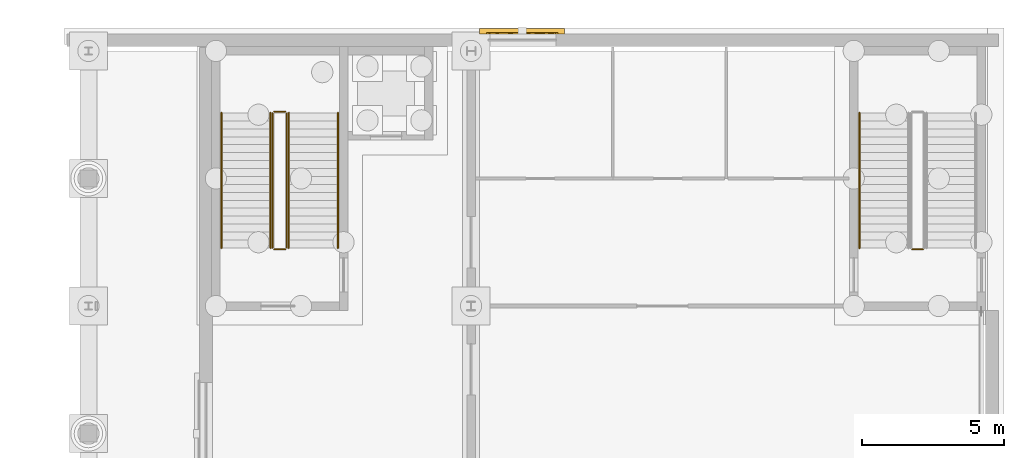
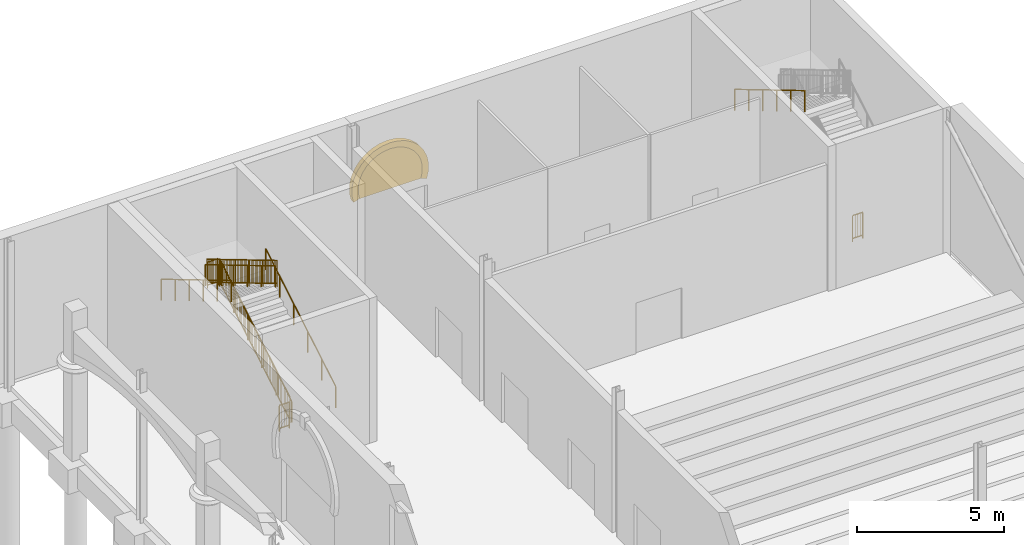
# One storey, part 100 of 106: 10 railings, 2 coverings.
"""IFC4 building model written with IfcOpenShell, lengths in metres."""

from ifc_helpers import new_model, si_unit, direction, frame, origin, origin_2d, place, context, subcontext, project, spatial, polyline, circle, outline, extrude, material, layer, layer_set, type_object, element, save


model = new_model("IFC4")

# Units and contexts
model_context = context("Model", 3, precision=1e-05, world=origin(), true_north=direction((0.0, 1.0)))
body_context = subcontext(model_context, "Body", "Model", "MODEL_VIEW")
ifc_project = project(units=[si_unit("LENGTHUNIT", "METRE"), si_unit("AREAUNIT", "SQUARE_METRE"), si_unit("VOLUMEUNIT", "CUBIC_METRE"), si_unit("PLANEANGLEUNIT", "RADIAN"), si_unit("MASSUNIT", "GRAM", prefix="KILO")], contexts=[model_context])

# Site, building, storey
site_placement = place(None, origin())
site = spatial("IfcSite", under=ifc_project, at=site_placement, CompositionType="ELEMENT")
building_placement = place(site_placement, origin())
building = spatial("IfcBuilding", under=site, at=building_placement, Name="Hortulan Conservatory and Botanical Research Centre", CompositionType="ELEMENT")
storey_placement = place(building_placement, origin())
storey = spatial("IfcBuildingStorey", under=building, at=storey_placement, Name="L00", CompositionType="ELEMENT", Elevation=0.0)

# Covering
ifc_material_1 = material(Name="Sandstone masonry (Hawkesbury yellow block)", Category="masonry")
ifc_layer_1 = layer(ifc_material_1, 0.179931640625)
ifc_layer_set_1 = layer_set([ifc_layer_1], Name="Sandstone Horseshoe Band 250")
covering_type_1 = type_object("IfcCoveringType", Name="Sandstone Horseshoe Band 250", PredefinedType="CLADDING", material=ifc_layer_set_1)
covering_1_placement = place(storey_placement, frame((90.2880859375, 72.694580078125, 2.32275390625), z_axis=(0.0, 0.0, 1.0), x_axis=(1.0, 0.0, 0.0)))
element("IfcCovering", 1, at=covering_1_placement, inside=storey, type_object=covering_type_1, Name="Horseshoe entrance head", PredefinedType="CLADDING", context=body_context, shape_type="SweptSolid", body=[
    extrude(outline(polyline([(0.311767578125, 0.0771484375), (0.2568359375, 0.335205078125), (0.2568359375, 0.59912109375), (0.311767578125, 0.85693359375), (0.4189453125, 1.09814453125), (0.57421875, 1.3115234375), (0.77001953125, 1.488037109375), (0.99853515625, 1.619873046875), (1.24951171875, 1.701416015625), (1.51171875, 1.72900390625), (1.774169921875, 1.701416015625), (2.02490234375, 1.619873046875), (2.25341796875, 1.488037109375), (2.449462890625, 1.3115234375), (2.6044921875, 1.09814453125), (2.7119140625, 0.85693359375), (2.7666015625, 0.59912109375), (2.7666015625, 0.335205078125), (2.7119140625, 0.0771484375), (2.949462890625, 0.0), (3.01513671875, 0.30908203125), (3.01513671875, 0.625244140625), (2.949462890625, 0.934326171875), (2.821044921875, 1.22314453125), (2.63525390625, 1.478759765625), (2.400390625, 1.690185546875), (2.126708984375, 1.84814453125), (1.826171875, 1.94580078125), (1.51171875, 1.97900390625), (1.197509765625, 1.94580078125), (0.89697265625, 1.84814453125), (0.623291015625, 1.690185546875), (0.38818359375, 1.478759765625), (0.202392578125, 1.22314453125), (0.073974609375, 0.934326171875), (0.00830078125, 0.625244140625), (0.00830078125, 0.30908203125), (0.073974609375, 0.0), (0.311767578125, 0.0771484375)])), frame((0.0, 0.08984375, 0.0), z_axis=(0.0, -1.0, 0.0), x_axis=(1.0, 0.0, 0.0)), (0.0, 0.0, 1.0), 0.179931640625),
])

# Railings
ifc_material_2 = material(Name="Steel balustrade, bronze-charcoal paint", Category="steel")
railing_type_1 = type_object("IfcRailingType", Name="Stair Guard 1100", PredefinedType="GUARDRAIL", material=ifc_material_2)
railing_1_placement = place(storey_placement, frame((83.5, 65.050048828125, 0.166748046875)))
element("IfcRailing", 2, at=railing_1_placement, inside=storey, type_object=railing_type_1, Name="Guard A1 L00 stair 1", PredefinedType="GUARDRAIL", context=body_context, shape_type="SweptSolid", body=[
    extrude(circle(Radius=0.02392578125, at=origin_2d()), frame((0.0, 0.0, 1.076171875), z_axis=(0.0, 0.859299802514, 0.511472237174), x_axis=(-1.0, 0.0, 0.0)), (0.0, 0.0, 1.0), 5.539306640625),
    extrude(circle(Radius=0.02392578125, at=origin_2d()), frame((0.0, 0.0, 0.1240234375), z_axis=(0.0, 0.859299802514, 0.511472237174), x_axis=(-1.0, 0.0, 0.0)), (0.0, 0.0, 1.0), 5.539306640625),
    extrude(circle(Radius=0.008056640625, at=origin_2d()), frame((0.0, 0.09326171875, 0.203857421875)), (0.0, 0.0, 1.0), 0.90380859375),
    extrude(circle(Radius=0.008056640625, at=origin_2d()), frame((0.0, 0.186767578125, 0.25927734375)), (0.0, 0.0, 1.0), 0.90380859375),
    extrude(circle(Radius=0.008056640625, at=origin_2d()), frame((0.0, 0.280029296875, 0.31494140625)), (0.0, 0.0, 1.0), 0.90380859375),
    extrude(circle(Radius=0.008056640625, at=origin_2d()), frame((0.0, 0.373291015625, 0.370361328125)), (0.0, 0.0, 1.0), 0.90380859375),
    extrude(circle(Radius=0.008056640625, at=origin_2d()), frame((0.0, 0.466552734375, 0.426025390625)), (0.0, 0.0, 1.0), 0.90380859375),
    extrude(circle(Radius=0.008056640625, at=origin_2d()), frame((0.0, 0.56005859375, 0.4814453125)), (0.0, 0.0, 1.0), 0.90380859375),
    extrude(circle(Radius=0.008056640625, at=origin_2d()), frame((0.0, 0.6533203125, 0.537109375)), (0.0, 0.0, 1.0), 0.90380859375),
    extrude(circle(Radius=0.008056640625, at=origin_2d()), frame((0.0, 0.74658203125, 0.592529296875)), (0.0, 0.0, 1.0), 0.90380859375),
    extrude(circle(Radius=0.008056640625, at=origin_2d()), frame((0.0, 0.840087890625, 0.648193359375)), (0.0, 0.0, 1.0), 0.90380859375),
    extrude(circle(Radius=0.008056640625, at=origin_2d()), frame((0.0, 0.933349609375, 0.70361328125)), (0.0, 0.0, 1.0), 0.90380859375),
    extrude(circle(Radius=0.008056640625, at=origin_2d()), frame((0.0, 1.026611328125, 0.75927734375)), (0.0, 0.0, 1.0), 0.90380859375),
    extrude(circle(Radius=0.008056640625, at=origin_2d()), frame((0.0, 1.1201171875, 0.81494140625)), (0.0, 0.0, 1.0), 0.90380859375),
    extrude(circle(Radius=0.008056640625, at=origin_2d()), frame((0.0, 1.21337890625, 0.870361328125)), (0.0, 0.0, 1.0), 0.90380859375),
    extrude(circle(Radius=0.008056640625, at=origin_2d()), frame((0.0, 1.306640625, 0.926025390625)), (0.0, 0.0, 1.0), 0.90380859375),
    extrude(circle(Radius=0.008056640625, at=origin_2d()), frame((0.0, 1.39990234375, 0.9814453125)), (0.0, 0.0, 1.0), 0.90380859375),
    extrude(circle(Radius=0.008056640625, at=origin_2d()), frame((0.0, 1.493408203125, 1.037109375)), (0.0, 0.0, 1.0), 0.90380859375),
    extrude(circle(Radius=0.008056640625, at=origin_2d()), frame((0.0, 1.586669921875, 1.092529296875)), (0.0, 0.0, 1.0), 0.90380859375),
    extrude(circle(Radius=0.008056640625, at=origin_2d()), frame((0.0, 1.679931640625, 1.148193359375)), (0.0, 0.0, 1.0), 0.90380859375),
    extrude(circle(Radius=0.008056640625, at=origin_2d()), frame((0.0, 1.7734375, 1.20361328125)), (0.0, 0.0, 1.0), 0.90380859375),
    extrude(circle(Radius=0.008056640625, at=origin_2d()), frame((0.0, 1.86669921875, 1.25927734375)), (0.0, 0.0, 1.0), 0.90380859375),
    extrude(circle(Radius=0.008056640625, at=origin_2d()), frame((0.0, 1.9599609375, 1.31494140625)), (0.0, 0.0, 1.0), 0.90380859375),
    extrude(circle(Radius=0.008056640625, at=origin_2d()), frame((0.0, 2.05322265625, 1.370361328125)), (0.0, 0.0, 1.0), 0.90380859375),
    extrude(circle(Radius=0.008056640625, at=origin_2d()), frame((0.0, 2.146728515625, 1.426025390625)), (0.0, 0.0, 1.0), 0.90380859375),
    extrude(circle(Radius=0.008056640625, at=origin_2d()), frame((0.0, 2.239990234375, 1.4814453125)), (0.0, 0.0, 1.0), 0.90380859375),
    extrude(circle(Radius=0.008056640625, at=origin_2d()), frame((0.0, 2.333251953125, 1.537109375)), (0.0, 0.0, 1.0), 0.90380859375),
    extrude(circle(Radius=0.008056640625, at=origin_2d()), frame((0.0, 2.4267578125, 1.592529296875)), (0.0, 0.0, 1.0), 0.90380859375),
    extrude(circle(Radius=0.008056640625, at=origin_2d()), frame((0.0, 2.52001953125, 1.648193359375)), (0.0, 0.0, 1.0), 0.90380859375),
    extrude(circle(Radius=0.008056640625, at=origin_2d()), frame((0.0, 2.61328125, 1.70361328125)), (0.0, 0.0, 1.0), 0.90380859375),
    extrude(circle(Radius=0.008056640625, at=origin_2d()), frame((0.0, 2.706787109375, 1.75927734375)), (0.0, 0.0, 1.0), 0.90380859375),
    extrude(circle(Radius=0.008056640625, at=origin_2d()), frame((0.0, 2.800048828125, 1.814697265625)), (0.0, 0.0, 1.0), 0.90380859375),
    extrude(circle(Radius=0.008056640625, at=origin_2d()), frame((0.0, 2.893310546875, 1.870361328125)), (0.0, 0.0, 1.0), 0.90380859375),
    extrude(circle(Radius=0.008056640625, at=origin_2d()), frame((0.0, 2.986572265625, 1.926025390625)), (0.0, 0.0, 1.0), 0.90380859375),
    extrude(circle(Radius=0.008056640625, at=origin_2d()), frame((0.0, 3.080078125, 1.9814453125)), (0.0, 0.0, 1.0), 0.90380859375),
    extrude(circle(Radius=0.008056640625, at=origin_2d()), frame((0.0, 3.17333984375, 2.037109375)), (0.0, 0.0, 1.0), 0.90380859375),
    extrude(circle(Radius=0.008056640625, at=origin_2d()), frame((0.0, 3.2666015625, 2.092529296875)), (0.0, 0.0, 1.0), 0.90380859375),
    extrude(circle(Radius=0.008056640625, at=origin_2d()), frame((0.0, 3.360107421875, 2.148193359375)), (0.0, 0.0, 1.0), 0.90380859375),
    extrude(circle(Radius=0.008056640625, at=origin_2d()), frame((0.0, 3.453369140625, 2.20361328125)), (0.0, 0.0, 1.0), 0.90380859375),
    extrude(circle(Radius=0.008056640625, at=origin_2d()), frame((0.0, 3.546630859375, 2.25927734375)), (0.0, 0.0, 1.0), 0.90380859375),
    extrude(circle(Radius=0.008056640625, at=origin_2d()), frame((0.0, 3.639892578125, 2.314697265625)), (0.0, 0.0, 1.0), 0.90380859375),
    extrude(circle(Radius=0.008056640625, at=origin_2d()), frame((0.0, 3.7333984375, 2.370361328125)), (0.0, 0.0, 1.0), 0.90380859375),
    extrude(circle(Radius=0.008056640625, at=origin_2d()), frame((0.0, 3.82666015625, 2.426025390625)), (0.0, 0.0, 1.0), 0.90380859375),
    extrude(circle(Radius=0.008056640625, at=origin_2d()), frame((0.0, 3.919921875, 2.4814453125)), (0.0, 0.0, 1.0), 0.90380859375),
    extrude(circle(Radius=0.008056640625, at=origin_2d()), frame((0.0, 4.013427734375, 2.537109375)), (0.0, 0.0, 1.0), 0.90380859375),
    extrude(circle(Radius=0.008056640625, at=origin_2d()), frame((0.0, 4.106689453125, 2.592529296875)), (0.0, 0.0, 1.0), 0.90380859375),
    extrude(circle(Radius=0.008056640625, at=origin_2d()), frame((0.0, 4.199951171875, 2.648193359375)), (0.0, 0.0, 1.0), 0.90380859375),
    extrude(circle(Radius=0.008056640625, at=origin_2d()), frame((0.0, 4.29345703125, 2.70361328125)), (0.0, 0.0, 1.0), 0.90380859375),
    extrude(circle(Radius=0.008056640625, at=origin_2d()), frame((0.0, 4.38671875, 2.75927734375)), (0.0, 0.0, 1.0), 0.90380859375),
    extrude(circle(Radius=0.008056640625, at=origin_2d()), frame((0.0, 4.47998046875, 2.814697265625)), (0.0, 0.0, 1.0), 0.90380859375),
    extrude(circle(Radius=0.008056640625, at=origin_2d()), frame((0.0, 4.5732421875, 2.870361328125)), (0.0, 0.0, 1.0), 0.90380859375),
    extrude(circle(Radius=0.008056640625, at=origin_2d()), frame((0.0, 4.666748046875, 2.92578125)), (0.0, 0.0, 1.0), 0.90380859375),
    extrude(circle(Radius=0.02099609375, at=origin_2d()), origin(), (0.0, 0.0, 1.0), 1.052001953125),
    extrude(circle(Radius=0.02099609375, at=origin_2d()), frame((0.0, 0.951904296875, 0.566650390625)), (0.0, 0.0, 1.0), 1.052001953125),
    extrude(circle(Radius=0.02099609375, at=origin_2d()), frame((0.0, 1.904052734375, 1.13330078125)), (0.0, 0.0, 1.0), 1.052001953125),
    extrude(circle(Radius=0.02099609375, at=origin_2d()), frame((0.0, 2.85595703125, 1.699951171875)), (0.0, 0.0, 1.0), 1.052001953125),
    extrude(circle(Radius=0.02099609375, at=origin_2d()), frame((0.0, 3.80810546875, 2.2666015625)), (0.0, 0.0, 1.0), 1.052001953125),
    extrude(circle(Radius=0.02099609375, at=origin_2d()), frame((0.0, 4.760009765625, 2.833251953125)), (0.0, 0.0, 1.0), 1.052001953125),
])
railing_2_placement = place(storey_placement, frame((83.449951171875, 69.860107421875, 3.0)))
element("IfcRailing", 3, at=railing_2_placement, inside=storey, type_object=railing_type_1, Name="Guard A1 L00 stair 2", PredefinedType="GUARDRAIL", context=body_context, shape_type="SweptSolid", body=[
    extrude(circle(Radius=0.02392578125, at=origin_2d()), frame((0.0, 0.0, 1.076171875), z_axis=(-1.0, 0.0, 0.0), x_axis=(0.0, -1.0, 0.0)), (0.0, 0.0, 1.0), 0.39990234375),
    extrude(circle(Radius=0.02392578125, at=origin_2d()), frame((0.0, 0.0, 0.1240234375), z_axis=(-1.0, 0.0, 0.0), x_axis=(0.0, -1.0, 0.0)), (0.0, 0.0, 1.0), 0.39990234375),
    extrude(circle(Radius=0.008056640625, at=origin_2d()), frame((-0.10009765625, 0.0, 0.148193359375)), (0.0, 0.0, 1.0), 0.90380859375),
    extrude(circle(Radius=0.008056640625, at=origin_2d()), frame((-0.199951171875, 0.0, 0.148193359375)), (0.0, 0.0, 1.0), 0.90380859375),
    extrude(circle(Radius=0.008056640625, at=origin_2d()), frame((-0.2998046875, 0.0, 0.148193359375)), (0.0, 0.0, 1.0), 0.90380859375),
    extrude(circle(Radius=0.02099609375, at=origin_2d()), origin(), (0.0, 0.0, 1.0), 1.052001953125),
    extrude(circle(Radius=0.02099609375, at=origin_2d()), frame((-0.39990234375, 0.0, 0.0)), (0.0, 0.0, 1.0), 1.052001953125),
])
railing_3_placement = place(storey_placement, frame((83.0, 69.81005859375, 3.166748046875)))
element("IfcRailing", 4, at=railing_3_placement, inside=storey, type_object=railing_type_1, Name="Guard A1 L00 stair 3", PredefinedType="GUARDRAIL", context=body_context, shape_type="SweptSolid", body=[
    extrude(circle(Radius=0.02392578125, at=origin_2d()), frame((0.0, 0.0, 1.076171875), z_axis=(0.0, -0.859299802514, 0.511472237174), x_axis=(1.0, 0.0, 0.0)), (0.0, 0.0, 1.0), 5.539306640625),
    extrude(circle(Radius=0.02392578125, at=origin_2d()), frame((0.0, 0.0, 0.1240234375), z_axis=(0.0, -0.859299802514, 0.511472237174), x_axis=(1.0, 0.0, 0.0)), (0.0, 0.0, 1.0), 5.539306640625),
    extrude(circle(Radius=0.008056640625, at=origin_2d()), frame((0.0, -0.09326171875, 0.203857421875)), (0.0, 0.0, 1.0), 0.90380859375),
    extrude(circle(Radius=0.008056640625, at=origin_2d()), frame((0.0, -0.186767578125, 0.25927734375)), (0.0, 0.0, 1.0), 0.90380859375),
    extrude(circle(Radius=0.008056640625, at=origin_2d()), frame((0.0, -0.280029296875, 0.31494140625)), (0.0, 0.0, 1.0), 0.90380859375),
    extrude(circle(Radius=0.008056640625, at=origin_2d()), frame((0.0, -0.373291015625, 0.370361328125)), (0.0, 0.0, 1.0), 0.90380859375),
    extrude(circle(Radius=0.008056640625, at=origin_2d()), frame((0.0, -0.466552734375, 0.426025390625)), (0.0, 0.0, 1.0), 0.90380859375),
    extrude(circle(Radius=0.008056640625, at=origin_2d()), frame((0.0, -0.56005859375, 0.4814453125)), (0.0, 0.0, 1.0), 0.90380859375),
    extrude(circle(Radius=0.008056640625, at=origin_2d()), frame((0.0, -0.6533203125, 0.537109375)), (0.0, 0.0, 1.0), 0.90380859375),
    extrude(circle(Radius=0.008056640625, at=origin_2d()), frame((0.0, -0.74658203125, 0.592529296875)), (0.0, 0.0, 1.0), 0.90380859375),
    extrude(circle(Radius=0.008056640625, at=origin_2d()), frame((0.0, -0.840087890625, 0.648193359375)), (0.0, 0.0, 1.0), 0.90380859375),
    extrude(circle(Radius=0.008056640625, at=origin_2d()), frame((0.0, -0.933349609375, 0.70361328125)), (0.0, 0.0, 1.0), 0.90380859375),
    extrude(circle(Radius=0.008056640625, at=origin_2d()), frame((0.0, -1.026611328125, 0.75927734375)), (0.0, 0.0, 1.0), 0.90380859375),
    extrude(circle(Radius=0.008056640625, at=origin_2d()), frame((0.0, -1.1201171875, 0.81494140625)), (0.0, 0.0, 1.0), 0.90380859375),
    extrude(circle(Radius=0.008056640625, at=origin_2d()), frame((0.0, -1.21337890625, 0.870361328125)), (0.0, 0.0, 1.0), 0.90380859375),
    extrude(circle(Radius=0.008056640625, at=origin_2d()), frame((0.0, -1.306640625, 0.926025390625)), (0.0, 0.0, 1.0), 0.90380859375),
    extrude(circle(Radius=0.008056640625, at=origin_2d()), frame((0.0, -1.39990234375, 0.9814453125)), (0.0, 0.0, 1.0), 0.90380859375),
    extrude(circle(Radius=0.008056640625, at=origin_2d()), frame((0.0, -1.493408203125, 1.037109375)), (0.0, 0.0, 1.0), 0.90380859375),
    extrude(circle(Radius=0.008056640625, at=origin_2d()), frame((0.0, -1.586669921875, 1.092529296875)), (0.0, 0.0, 1.0), 0.90380859375),
    extrude(circle(Radius=0.008056640625, at=origin_2d()), frame((0.0, -1.679931640625, 1.148193359375)), (0.0, 0.0, 1.0), 0.90380859375),
    extrude(circle(Radius=0.008056640625, at=origin_2d()), frame((0.0, -1.7734375, 1.20361328125)), (0.0, 0.0, 1.0), 0.90380859375),
    extrude(circle(Radius=0.008056640625, at=origin_2d()), frame((0.0, -1.86669921875, 1.25927734375)), (0.0, 0.0, 1.0), 0.90380859375),
    extrude(circle(Radius=0.008056640625, at=origin_2d()), frame((0.0, -1.9599609375, 1.31494140625)), (0.0, 0.0, 1.0), 0.90380859375),
    extrude(circle(Radius=0.008056640625, at=origin_2d()), frame((0.0, -2.05322265625, 1.370361328125)), (0.0, 0.0, 1.0), 0.90380859375),
    extrude(circle(Radius=0.008056640625, at=origin_2d()), frame((0.0, -2.146728515625, 1.426025390625)), (0.0, 0.0, 1.0), 0.90380859375),
    extrude(circle(Radius=0.008056640625, at=origin_2d()), frame((0.0, -2.239990234375, 1.4814453125)), (0.0, 0.0, 1.0), 0.90380859375),
    extrude(circle(Radius=0.008056640625, at=origin_2d()), frame((0.0, -2.333251953125, 1.537109375)), (0.0, 0.0, 1.0), 0.90380859375),
    extrude(circle(Radius=0.008056640625, at=origin_2d()), frame((0.0, -2.4267578125, 1.592529296875)), (0.0, 0.0, 1.0), 0.90380859375),
    extrude(circle(Radius=0.008056640625, at=origin_2d()), frame((0.0, -2.52001953125, 1.648193359375)), (0.0, 0.0, 1.0), 0.90380859375),
    extrude(circle(Radius=0.008056640625, at=origin_2d()), frame((0.0, -2.61328125, 1.70361328125)), (0.0, 0.0, 1.0), 0.90380859375),
    extrude(circle(Radius=0.008056640625, at=origin_2d()), frame((0.0, -2.706787109375, 1.75927734375)), (0.0, 0.0, 1.0), 0.90380859375),
    extrude(circle(Radius=0.008056640625, at=origin_2d()), frame((0.0, -2.800048828125, 1.814697265625)), (0.0, 0.0, 1.0), 0.90380859375),
    extrude(circle(Radius=0.008056640625, at=origin_2d()), frame((0.0, -2.893310546875, 1.870361328125)), (0.0, 0.0, 1.0), 0.90380859375),
    extrude(circle(Radius=0.008056640625, at=origin_2d()), frame((0.0, -2.986572265625, 1.926025390625)), (0.0, 0.0, 1.0), 0.90380859375),
    extrude(circle(Radius=0.008056640625, at=origin_2d()), frame((0.0, -3.080078125, 1.9814453125)), (0.0, 0.0, 1.0), 0.90380859375),
    extrude(circle(Radius=0.008056640625, at=origin_2d()), frame((0.0, -3.17333984375, 2.037109375)), (0.0, 0.0, 1.0), 0.90380859375),
    extrude(circle(Radius=0.008056640625, at=origin_2d()), frame((0.0, -3.2666015625, 2.092529296875)), (0.0, 0.0, 1.0), 0.90380859375),
    extrude(circle(Radius=0.008056640625, at=origin_2d()), frame((0.0, -3.360107421875, 2.148193359375)), (0.0, 0.0, 1.0), 0.90380859375),
    extrude(circle(Radius=0.008056640625, at=origin_2d()), frame((0.0, -3.453369140625, 2.20361328125)), (0.0, 0.0, 1.0), 0.90380859375),
    extrude(circle(Radius=0.008056640625, at=origin_2d()), frame((0.0, -3.546630859375, 2.25927734375)), (0.0, 0.0, 1.0), 0.90380859375),
    extrude(circle(Radius=0.008056640625, at=origin_2d()), frame((0.0, -3.639892578125, 2.314697265625)), (0.0, 0.0, 1.0), 0.90380859375),
    extrude(circle(Radius=0.008056640625, at=origin_2d()), frame((0.0, -3.7333984375, 2.370361328125)), (0.0, 0.0, 1.0), 0.90380859375),
    extrude(circle(Radius=0.008056640625, at=origin_2d()), frame((0.0, -3.82666015625, 2.426025390625)), (0.0, 0.0, 1.0), 0.90380859375),
    extrude(circle(Radius=0.008056640625, at=origin_2d()), frame((0.0, -3.919921875, 2.4814453125)), (0.0, 0.0, 1.0), 0.90380859375),
    extrude(circle(Radius=0.008056640625, at=origin_2d()), frame((0.0, -4.013427734375, 2.537109375)), (0.0, 0.0, 1.0), 0.90380859375),
    extrude(circle(Radius=0.008056640625, at=origin_2d()), frame((0.0, -4.106689453125, 2.592529296875)), (0.0, 0.0, 1.0), 0.90380859375),
    extrude(circle(Radius=0.008056640625, at=origin_2d()), frame((0.0, -4.199951171875, 2.648193359375)), (0.0, 0.0, 1.0), 0.90380859375),
    extrude(circle(Radius=0.008056640625, at=origin_2d()), frame((0.0, -4.29345703125, 2.70361328125)), (0.0, 0.0, 1.0), 0.90380859375),
    extrude(circle(Radius=0.008056640625, at=origin_2d()), frame((0.0, -4.38671875, 2.75927734375)), (0.0, 0.0, 1.0), 0.90380859375),
    extrude(circle(Radius=0.008056640625, at=origin_2d()), frame((0.0, -4.47998046875, 2.814697265625)), (0.0, 0.0, 1.0), 0.90380859375),
    extrude(circle(Radius=0.008056640625, at=origin_2d()), frame((0.0, -4.5732421875, 2.870361328125)), (0.0, 0.0, 1.0), 0.90380859375),
    extrude(circle(Radius=0.008056640625, at=origin_2d()), frame((0.0, -4.666748046875, 2.92578125)), (0.0, 0.0, 1.0), 0.90380859375),
    extrude(circle(Radius=0.02099609375, at=origin_2d()), origin(), (0.0, 0.0, 1.0), 1.052001953125),
    extrude(circle(Radius=0.02099609375, at=origin_2d()), frame((0.0, -0.951904296875, 0.566650390625)), (0.0, 0.0, 1.0), 1.052001953125),
    extrude(circle(Radius=0.02099609375, at=origin_2d()), frame((0.0, -1.904052734375, 1.13330078125)), (0.0, 0.0, 1.0), 1.052001953125),
    extrude(circle(Radius=0.02099609375, at=origin_2d()), frame((0.0, -2.85595703125, 1.699951171875)), (0.0, 0.0, 1.0), 1.052001953125),
    extrude(circle(Radius=0.02099609375, at=origin_2d()), frame((0.0, -3.80810546875, 2.2666015625)), (0.0, 0.0, 1.0), 1.052001953125),
    extrude(circle(Radius=0.02099609375, at=origin_2d()), frame((0.0, -4.760009765625, 2.833251953125)), (0.0, 0.0, 1.0), 1.052001953125),
])
for number, where, name in (
    (5, (83.449951171875, 65.0, 0.0), "Guard A1 L00 stair 4"),
    (6, (105.949951171875, 65.0, 0.0), "Guard A3 L00 stair 4"),
):
    element("IfcRailing", number, at=place(storey_placement, frame(where)), inside=storey, type_object=railing_type_1, Name=name, PredefinedType="GUARDRAIL", context=body_context, shape_type="SweptSolid", body=[
        extrude(circle(Radius=0.02392578125, at=origin_2d()), frame((0.0, 0.0, 1.076171875), z_axis=(-1.0, 0.0, 0.0), x_axis=(0.0, -1.0, 0.0)), (0.0, 0.0, 1.0), 0.39990234375),
        extrude(circle(Radius=0.02392578125, at=origin_2d()), frame((0.0, 0.0, 0.1240234375), z_axis=(-1.0, 0.0, 0.0), x_axis=(0.0, -1.0, 0.0)), (0.0, 0.0, 1.0), 0.39990234375),
        extrude(circle(Radius=0.008056640625, at=origin_2d()), frame((-0.10009765625, 0.0, 0.148193359375)), (0.0, 0.0, 1.0), 0.90380859375),
        extrude(circle(Radius=0.008056640625, at=origin_2d()), frame((-0.199951171875, 0.0, 0.148193359375)), (0.0, 0.0, 1.0), 0.90380859375),
        extrude(circle(Radius=0.008056640625, at=origin_2d()), frame((-0.2998046875, 0.0, 0.148193359375)), (0.0, 0.0, 1.0), 0.90380859375),
        extrude(circle(Radius=0.02099609375, at=origin_2d()), origin(), (0.0, 0.0, 1.0), 1.052001953125),
        extrude(circle(Radius=0.02099609375, at=origin_2d()), frame((-0.39990234375, 0.0, 0.0)), (0.0, 0.0, 1.0), 1.052001953125),
    ])
ifc_material_3 = material(Name="Bronze handrail, polished", Category="metal")
railing_type_2 = type_object("IfcRailingType", Name="Stair Handrail 900", PredefinedType="HANDRAIL", material=ifc_material_3)
railing_4_placement = place(storey_placement, frame((85.300048828125, 65.050048828125, 0.166748046875)))
element("IfcRailing", 7, at=railing_4_placement, inside=storey, type_object=railing_type_2, Name="Handrail A1 L00 stair 1", PredefinedType="HANDRAIL", context=body_context, shape_type="SweptSolid", body=[
    extrude(circle(Radius=0.02392578125, at=origin_2d()), frame((0.0, 0.0, 0.8759765625), z_axis=(0.0, 0.859299802514, 0.511472237174), x_axis=(-1.0, 0.0, 0.0)), (0.0, 0.0, 1.0), 5.539306640625),
    extrude(circle(Radius=0.02099609375, at=origin_2d()), origin(), (0.0, 0.0, 1.0), 0.851806640625),
    extrude(circle(Radius=0.02099609375, at=origin_2d()), frame((0.0, 0.951904296875, 0.566650390625)), (0.0, 0.0, 1.0), 0.851806640625),
    extrude(circle(Radius=0.02099609375, at=origin_2d()), frame((0.0, 1.904052734375, 1.13330078125)), (0.0, 0.0, 1.0), 0.851806640625),
    extrude(circle(Radius=0.02099609375, at=origin_2d()), frame((0.0, 2.85595703125, 1.699951171875)), (0.0, 0.0, 1.0), 0.851806640625),
    extrude(circle(Radius=0.02099609375, at=origin_2d()), frame((0.0, 3.80810546875, 2.2666015625)), (0.0, 0.0, 1.0), 0.851806640625),
    extrude(circle(Radius=0.02099609375, at=origin_2d()), frame((0.0, 4.760009765625, 2.833251953125)), (0.0, 0.0, 1.0), 0.851806640625),
])
railing_5_placement = place(storey_placement, frame((81.199951171875, 69.81005859375, 3.166748046875)))
element("IfcRailing", 8, at=railing_5_placement, inside=storey, type_object=railing_type_2, Name="Handrail A1 L00 stair 2", PredefinedType="HANDRAIL", context=body_context, shape_type="SweptSolid", body=[
    extrude(circle(Radius=0.02392578125, at=origin_2d()), frame((0.0, 0.0, 0.8759765625), z_axis=(0.0, -0.859299802514, 0.511472237174), x_axis=(1.0, 0.0, 0.0)), (0.0, 0.0, 1.0), 5.539306640625),
    extrude(circle(Radius=0.02099609375, at=origin_2d()), origin(), (0.0, 0.0, 1.0), 0.851806640625),
    extrude(circle(Radius=0.02099609375, at=origin_2d()), frame((0.0, -0.951904296875, 0.566650390625)), (0.0, 0.0, 1.0), 0.851806640625),
    extrude(circle(Radius=0.02099609375, at=origin_2d()), frame((0.0, -1.904052734375, 1.13330078125)), (0.0, 0.0, 1.0), 0.851806640625),
    extrude(circle(Radius=0.02099609375, at=origin_2d()), frame((0.0, -2.85595703125, 1.699951171875)), (0.0, 0.0, 1.0), 0.851806640625),
    extrude(circle(Radius=0.02099609375, at=origin_2d()), frame((0.0, -3.80810546875, 2.2666015625)), (0.0, 0.0, 1.0), 0.851806640625),
    extrude(circle(Radius=0.02099609375, at=origin_2d()), frame((0.0, -4.760009765625, 2.833251953125)), (0.0, 0.0, 1.0), 0.851806640625),
])
railing_6_placement = place(storey_placement, frame((83.570068359375, 65.050048828125, 0.166748046875)))
element("IfcRailing", 9, at=railing_6_placement, inside=storey, type_object=railing_type_2, Name="Handrail A1 L00 stair 3", PredefinedType="HANDRAIL", context=body_context, shape_type="SweptSolid", body=[
    extrude(circle(Radius=0.02392578125, at=origin_2d()), frame((0.0, 0.0, 0.8759765625), z_axis=(0.0, 0.859299802514, 0.511472237174), x_axis=(-1.0, 0.0, 0.0)), (0.0, 0.0, 1.0), 5.539306640625),
    extrude(circle(Radius=0.02099609375, at=origin_2d()), origin(), (0.0, 0.0, 1.0), 0.851806640625),
    extrude(circle(Radius=0.02099609375, at=origin_2d()), frame((0.0, 0.951904296875, 0.566650390625)), (0.0, 0.0, 1.0), 0.851806640625),
    extrude(circle(Radius=0.02099609375, at=origin_2d()), frame((0.0, 1.904052734375, 1.13330078125)), (0.0, 0.0, 1.0), 0.851806640625),
    extrude(circle(Radius=0.02099609375, at=origin_2d()), frame((0.0, 2.85595703125, 1.699951171875)), (0.0, 0.0, 1.0), 0.851806640625),
    extrude(circle(Radius=0.02099609375, at=origin_2d()), frame((0.0, 3.80810546875, 2.2666015625)), (0.0, 0.0, 1.0), 0.851806640625),
    extrude(circle(Radius=0.02099609375, at=origin_2d()), frame((0.0, 4.760009765625, 2.833251953125)), (0.0, 0.0, 1.0), 0.851806640625),
])
for number, where, name in (
    (10, (82.929931640625, 69.81005859375, 3.166748046875), "Handrail A1 L00 stair 4"),
    (11, (103.699951171875, 69.81005859375, 3.166748046875), "Handrail A3 L00 stair 2"),
):
    element("IfcRailing", number, at=place(storey_placement, frame(where)), inside=storey, type_object=railing_type_2, Name=name, PredefinedType="HANDRAIL", context=body_context, shape_type="SweptSolid", body=[
        extrude(circle(Radius=0.02392578125, at=origin_2d()), frame((0.0, 0.0, 0.8759765625), z_axis=(0.0, -0.859299802514, 0.511472237174), x_axis=(1.0, 0.0, 0.0)), (0.0, 0.0, 1.0), 5.539306640625),
        extrude(circle(Radius=0.02099609375, at=origin_2d()), origin(), (0.0, 0.0, 1.0), 0.851806640625),
        extrude(circle(Radius=0.02099609375, at=origin_2d()), frame((0.0, -0.951904296875, 0.566650390625)), (0.0, 0.0, 1.0), 0.851806640625),
        extrude(circle(Radius=0.02099609375, at=origin_2d()), frame((0.0, -1.904052734375, 1.13330078125)), (0.0, 0.0, 1.0), 0.851806640625),
        extrude(circle(Radius=0.02099609375, at=origin_2d()), frame((0.0, -2.85595703125, 1.699951171875)), (0.0, 0.0, 1.0), 0.851806640625),
        extrude(circle(Radius=0.02099609375, at=origin_2d()), frame((0.0, -3.80810546875, 2.2666015625)), (0.0, 0.0, 1.0), 0.851806640625),
        extrude(circle(Radius=0.02099609375, at=origin_2d()), frame((0.0, -4.760009765625, 2.833251953125)), (0.0, 0.0, 1.0), 0.851806640625),
    ])

# Covering
ifc_material_4 = material(Name="Faience cladding, harbour teal glaze (non-combustible)", Category="ceramic")
ifc_layer_2 = layer(ifc_material_4, 0.0400390625)
ifc_layer_set_2 = layer_set([ifc_layer_2], Name="Teal Faience Tympanum 40")
covering_type_2 = type_object("IfcCoveringType", Name="Teal Faience Tympanum 40", PredefinedType="CLADDING", material=ifc_layer_set_2)
covering_2_placement = place(storey_placement, frame((90.2880859375, 72.62451171875, 2.39990234375), z_axis=(0.0, 0.0, 1.0), x_axis=(1.0, 0.0, 0.0)))
element("IfcCovering", 12, at=covering_2_placement, inside=storey, type_object=covering_type_2, Name="Faience tympanum", PredefinedType="CLADDING", context=body_context, shape_type="SweptSolid", body=[
    extrude(outline(polyline([(0.311767578125, 0.0), (0.2568359375, 0.258056640625), (0.2568359375, 0.52197265625), (0.311767578125, 0.77978515625), (0.4189453125, 1.02099609375), (0.57421875, 1.234375), (0.77001953125, 1.410888671875), (0.99853515625, 1.542724609375), (1.24951171875, 1.624267578125), (1.51171875, 1.65185546875), (1.774169921875, 1.624267578125), (2.02490234375, 1.542724609375), (2.25341796875, 1.410888671875), (2.449462890625, 1.234375), (2.6044921875, 1.02099609375), (2.7119140625, 0.77978515625), (2.7666015625, 0.52197265625), (2.7666015625, 0.258056640625), (2.7119140625, 0.0), (2.7119140625, 0.0), (0.311767578125, 0.0), (0.311767578125, 0.0)])), frame((0.0, 0.02001953125, 0.0), z_axis=(0.0, -1.0, 0.0), x_axis=(1.0, 0.0, 0.0)), (0.0, 0.0, 1.0), 0.0400390625),
])

save(model, "model.ifc")
